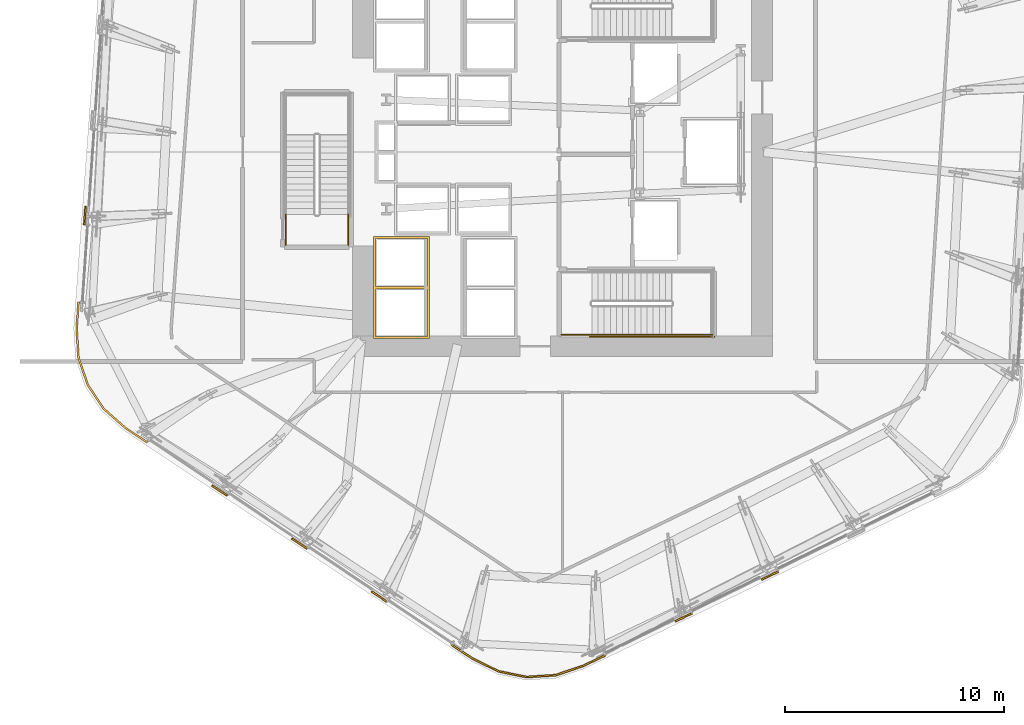
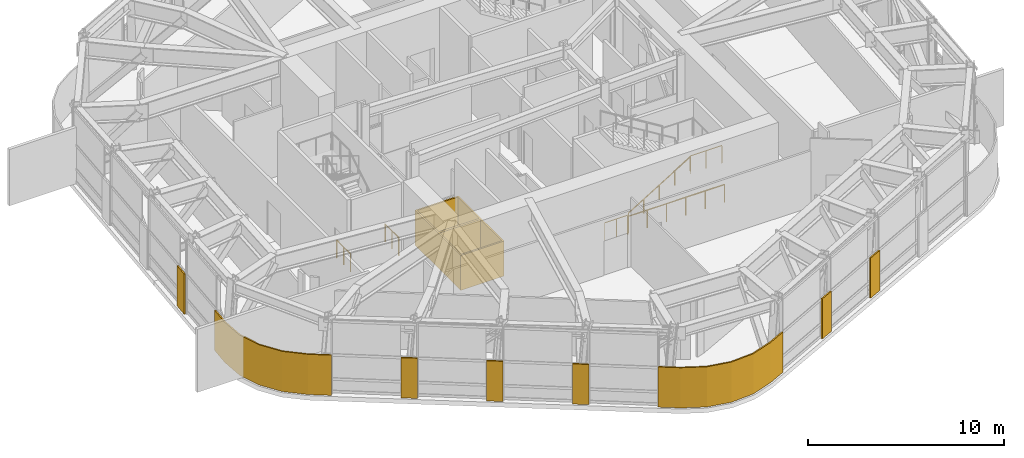
# One storey, part 11 of 14: 9 coverings, 6 railings.
"""IFC4 building model written with IfcOpenShell, lengths in metres."""

from ifc_helpers import new_model, si_unit, direction, frame, origin, origin_2d, place, context, subcontext, project, spatial, polyline, circle, outline, extrude, material, layer, layer_set, type_object, element, save


model = new_model("IFC4")

# Units and contexts
model_context = context("Model", 3, precision=1e-05, world=origin(), true_north=direction((0.0, 1.0)))
body_context = subcontext(model_context, "Body", "Model", "MODEL_VIEW")
ifc_project = project(units=[si_unit("LENGTHUNIT", "METRE"), si_unit("AREAUNIT", "SQUARE_METRE"), si_unit("VOLUMEUNIT", "CUBIC_METRE"), si_unit("PLANEANGLEUNIT", "RADIAN"), si_unit("MASSUNIT", "GRAM", prefix="KILO")], contexts=[model_context])

# Site, building, storey
site_placement = place(None, origin())
site = spatial("IfcSite", under=ifc_project, at=site_placement, CompositionType="ELEMENT")
building_placement = place(site_placement, origin())
building = spatial("IfcBuilding", under=site, at=building_placement, Name="Valkerne Bourse Tower", CompositionType="ELEMENT")
storey_placement = place(building_placement, frame((0.0, 0.0, 135.199951171875)))
storey = spatial("IfcBuildingStorey", under=building, at=storey_placement, Name="L34", CompositionType="ELEMENT", Elevation=135.199951171875)

# Coverings
ifc_material_1 = material(Name="Bronze Anodised Aluminium AA 6063-T6", Category="aluminium")
ifc_layer_1 = layer(ifc_material_1, 0.06005859375)
ifc_layer_set_1 = layer_set([ifc_layer_1], Name="Bronze Anodised Aluminium AA 6063-T6")
covering_type_1 = type_object("IfcCoveringType", Name="COV-CRN-ALUM", PredefinedType="CLADDING", material=ifc_layer_set_1)
covering_1_placement = place(storey_placement, origin())
element("IfcCovering", 1, at=covering_1_placement, inside=storey, type_object=covering_type_1, Name="L34 Wind-Shaped Corner Aluminium Cladding 03", PredefinedType="CLADDING", context=body_context, shape_type="SweptSolid", body=[
    extrude(outline(polyline([(55.9248046875, 7.4189453125), (55.8896484375, 7.49072265625), (56.64599609375, 7.856201171875), (56.681396484375, 7.784423828125), (55.9248046875, 7.4189453125)])), origin(), (0.0, 0.0, 1.0), 2.5),
])
covering_2_placement = place(storey_placement, origin())
element("IfcCovering", 2, at=covering_2_placement, inside=storey, type_object=covering_type_1, Name="L34 Wind-Shaped Corner Aluminium Cladding 04", PredefinedType="CLADDING", context=body_context, shape_type="SweptSolid", body=[
    extrude(outline(polyline([(51.978759765625, 5.51171875), (51.943603515625, 5.58349609375), (52.699951171875, 5.948974609375), (52.735107421875, 5.877197265625), (51.978759765625, 5.51171875)])), origin(), (0.0, 0.0, 1.0), 2.5),
])
covering_3_placement = place(storey_placement, origin())
element("IfcCovering", 3, at=covering_3_placement, inside=storey, type_object=covering_type_1, Name="L34 Wind-Shaped Corner Aluminium Cladding 05", PredefinedType="CLADDING", context=body_context, shape_type="SweptSolid", body=[
    extrude(outline(polyline([(47.7578125, 3.471435546875), (46.48974609375, 3.044677734375), (45.1611328125, 2.961181640625), (43.856201171875, 3.22412109375), (42.65771484375, 3.819091796875), (41.7041015625, 4.45263671875), (41.748779296875, 4.51904296875), (42.697998046875, 3.888671875), (43.88232421875, 3.300537109375), (45.16650390625, 3.04150390625), (46.47412109375, 3.123779296875), (47.7275390625, 3.545654296875), (48.75341796875, 4.04150390625), (48.788818359375, 3.9697265625), (47.7578125, 3.471435546875)])), origin(), (0.0, 0.0, 1.0), 2.5),
])
covering_4_placement = place(storey_placement, origin())
element("IfcCovering", 4, at=covering_4_placement, inside=storey, type_object=covering_type_1, Name="L34 Wind-Shaped Corner Aluminium Cladding 06", PredefinedType="CLADDING", context=body_context, shape_type="SweptSolid", body=[
    extrude(outline(polyline([(38.05322265625, 6.8779296875), (38.097900390625, 6.9443359375), (38.797607421875, 6.4794921875), (38.7529296875, 6.4130859375), (38.05322265625, 6.8779296875)])), origin(), (0.0, 0.0, 1.0), 2.5),
])
covering_5_placement = place(storey_placement, origin())
element("IfcCovering", 5, at=covering_5_placement, inside=storey, type_object=covering_type_1, Name="L34 Wind-Shaped Corner Aluminium Cladding 07", PredefinedType="CLADDING", context=body_context, shape_type="SweptSolid", body=[
    extrude(outline(polyline([(34.40234375, 9.30322265625), (34.447021484375, 9.36962890625), (35.146484375, 8.90478515625), (35.10205078125, 8.83837890625), (34.40234375, 9.30322265625)])), origin(), (0.0, 0.0, 1.0), 2.5),
])
covering_6_placement = place(storey_placement, origin())
element("IfcCovering", 6, at=covering_6_placement, inside=storey, type_object=covering_type_1, Name="L34 Wind-Shaped Corner Aluminium Cladding 08", PredefinedType="CLADDING", context=body_context, shape_type="SweptSolid", body=[
    extrude(outline(polyline([(30.75146484375, 11.728515625), (30.796142578125, 11.794921875), (31.495849609375, 11.330078125), (31.451171875, 11.263671875), (30.75146484375, 11.728515625)])), origin(), (0.0, 0.0, 1.0), 2.5),
])
covering_7_placement = place(storey_placement, origin())
element("IfcCovering", 7, at=covering_7_placement, inside=storey, type_object=covering_type_1, Name="L34 Wind-Shaped Corner Aluminium Cladding 09", PredefinedType="CLADDING", context=body_context, shape_type="SweptSolid", body=[
    extrude(outline(polyline([(26.79736328125, 14.355224609375), (25.794189453125, 15.23974609375), (25.0576171875, 16.348388671875), (24.6328125, 17.610107421875), (24.548828125, 18.94482421875), (24.63720703125, 20.1455078125), (24.717041015625, 20.14013671875), (24.629150390625, 18.9443359375), (24.712158203125, 17.625732421875), (25.1298828125, 16.384033203125), (25.85498046875, 15.292724609375), (26.84619140625, 14.418701171875), (27.8447265625, 13.755615234375), (27.80029296875, 13.689208984375), (26.79736328125, 14.355224609375)])), origin(), (0.0, 0.0, 1.0), 2.5),
])
covering_8_placement = place(storey_placement, origin())
element("IfcCovering", 8, at=covering_8_placement, inside=storey, type_object=covering_type_1, Name="L34 Wind-Shaped Corner Aluminium Cladding 10", PredefinedType="CLADDING", context=body_context, shape_type="SweptSolid", body=[
    extrude(outline(polyline([(24.95849609375, 24.516845703125), (25.038330078125, 24.511474609375), (24.976806640625, 23.673583984375), (24.89697265625, 23.678955078125), (24.95849609375, 24.516845703125)])), origin(), (0.0, 0.0, 1.0), 2.5),
])
ifc_material_2 = material(Name="Gypsum Shaftwall Liner Board", Category="gypsum")
ifc_layer_2 = layer(ifc_material_2, 0.080078125)
ifc_layer_set_2 = layer_set([ifc_layer_2], Name="Gypsum Shaftwall Liner Board")
covering_type_2 = type_object("IfcCoveringType", Name="COV-SHF-CLAD", PredefinedType="CLADDING", material=ifc_layer_set_2)
covering_9_placement = place(storey_placement, origin())
element("IfcCovering", 9, at=covering_9_placement, inside=storey, type_object=covering_type_2, Name="L34 Hoistway & Riser Shaftwall Liner 01", PredefinedType="CLADDING", context=body_context, shape_type="SweptSolid", body=[
    extrude(outline(polyline([(38.169921875, 23.1298828125), (40.72998046875, 23.1298828125), (40.72998046875, 20.830078125), (40.72998046875, 20.77001953125), (40.72998046875, 18.469970703125), (38.169921875, 18.469970703125), (38.169921875, 20.77001953125), (38.169921875, 20.830078125), (38.169921875, 23.1298828125)]), holes=[polyline([(38.260009765625, 20.739990234375), (38.260009765625, 18.56005859375), (40.639892578125, 18.56005859375), (40.639892578125, 20.739990234375), (38.260009765625, 20.739990234375)]), polyline([(38.260009765625, 23.0400390625), (38.260009765625, 20.860107421875), (40.639892578125, 20.860107421875), (40.639892578125, 23.0400390625), (38.260009765625, 23.0400390625)])]), origin(), (0.0, 0.0, 1.0), 2.179931640625),
])

# Railings
ifc_material_3 = material(Name="Galvanised Painted Steel", Category="steel")
railing_type_1 = type_object("IfcRailingType", Name="RLG-ST-GUARD-1120", PredefinedType="GUARDRAIL", material=ifc_material_3)
railing_1_placement = place(storey_placement, frame((51.7900390625, 18.64990234375, 2.400146484375)))
element("IfcRailing", 10, at=railing_1_placement, inside=storey, type_object=railing_type_1, Name="L34 ST-1 stair guard 3", PredefinedType="GUARDRAIL", context=body_context, shape_type="SweptSolid", body=[
    extrude(circle(Radius=0.02392578125, at=origin_2d()), frame((0.0, 0.0, 1.09619140625), z_axis=(1.0, 0.0, 0.0), x_axis=(0.0, 1.0, 0.0)), (0.0, 0.0, 1.0), 1.85986328125),
    extrude(circle(Radius=0.02099609375, at=origin_2d()), origin(), (0.0, 0.0, 1.0), 1.072021484375),
    extrude(circle(Radius=0.02099609375, at=origin_2d()), frame((0.929931640625, 0.0, 0.0)), (0.0, 0.0, 1.0), 1.072021484375),
    extrude(circle(Radius=0.02099609375, at=origin_2d()), frame((1.85986328125, 0.0, 0.0)), (0.0, 0.0, 1.0), 1.072021484375),
])
railing_2_placement = place(storey_placement, frame((46.75, 18.64990234375, 0.0)))
element("IfcRailing", 11, at=railing_2_placement, inside=storey, type_object=railing_type_1, Name="L34 ST-1 stair guard 8", PredefinedType="GUARDRAIL", context=body_context, shape_type="SweptSolid", body=[
    extrude(circle(Radius=0.02392578125, at=origin_2d()), frame((0.0, 0.0, 1.09619140625), z_axis=(1.0, 0.0, 0.0), x_axis=(0.0, 1.0, 0.0)), (0.0, 0.0, 1.0), 1.39990234375),
    extrude(circle(Radius=0.02099609375, at=origin_2d()), origin(), (0.0, 0.0, 1.0), 1.072021484375),
    extrude(circle(Radius=0.02099609375, at=origin_2d()), frame((0.699951171875, 0.0, 0.0)), (0.0, 0.0, 1.0), 1.072021484375),
    extrude(circle(Radius=0.02099609375, at=origin_2d()), frame((1.39990234375, 0.0, 0.0)), (0.0, 0.0, 1.0), 1.072021484375),
])
railing_3_placement = place(storey_placement, frame((48.050048828125, 18.550048828125, 0.0)))
element("IfcRailing", 12, at=railing_3_placement, inside=storey, type_object=railing_type_1, Name="L34 ST-1 stair guard 10", PredefinedType="GUARDRAIL", context=body_context, shape_type="SweptSolid", body=[
    extrude(circle(Radius=0.02392578125, at=origin_2d()), frame((0.0, 0.0, 1.09619140625), z_axis=(1.0, 0.0, 0.0), x_axis=(0.0, 1.0, 0.0)), (0.0, 0.0, 1.0), 5.699951171875),
    extrude(circle(Radius=0.02099609375, at=origin_2d()), origin(), (0.0, 0.0, 1.0), 1.072021484375),
    extrude(circle(Radius=0.02099609375, at=origin_2d()), frame((1.139892578125, 0.0, 0.0)), (0.0, 0.0, 1.0), 1.072021484375),
    extrude(circle(Radius=0.02099609375, at=origin_2d()), frame((2.280029296875, 0.0, 0.0)), (0.0, 0.0, 1.0), 1.072021484375),
    extrude(circle(Radius=0.02099609375, at=origin_2d()), frame((3.419921875, 0.0, 0.0)), (0.0, 0.0, 1.0), 1.072021484375),
    extrude(circle(Radius=0.02099609375, at=origin_2d()), frame((4.56005859375, 0.0, 0.0)), (0.0, 0.0, 1.0), 1.072021484375),
    extrude(circle(Radius=0.02099609375, at=origin_2d()), frame((5.699951171875, 0.0, 0.0)), (0.0, 0.0, 1.0), 1.072021484375),
])
for number, where, name in (
    (13, (37.0, 22.75, 0.0), "L34 ST-3 stair guard 8"),
    (14, (34.14990234375, 22.75, 0.0), "L34 ST-3 stair guard 9"),
):
    element("IfcRailing", number, at=place(storey_placement, frame(where)), inside=storey, type_object=railing_type_1, Name=name, PredefinedType="GUARDRAIL", context=body_context, shape_type="SweptSolid", body=[
        extrude(circle(Radius=0.02392578125, at=origin_2d()), frame((0.0, 0.0, 1.09619140625), z_axis=(0.0, 1.0, 0.0), x_axis=(-1.0, 0.0, 0.0)), (0.0, 0.0, 1.0), 1.39990234375),
        extrude(circle(Radius=0.02099609375, at=origin_2d()), origin(), (0.0, 0.0, 1.0), 1.072021484375),
        extrude(circle(Radius=0.02099609375, at=origin_2d()), frame((0.0, 0.699951171875, 0.0)), (0.0, 0.0, 1.0), 1.072021484375),
        extrude(circle(Radius=0.02099609375, at=origin_2d()), frame((0.0, 1.39990234375, 0.0)), (0.0, 0.0, 1.0), 1.072021484375),
    ])
ifc_material_4 = material(Name="Stainless Steel AISI 316", Category="steel")
railing_type_2 = type_object("IfcRailingType", Name="RLG-ST-HANDRAIL-900", PredefinedType="HANDRAIL", material=ifc_material_4)
railing_4_placement = place(storey_placement, frame((48.14990234375, 18.64990234375, 0.343017578125)))
element("IfcRailing", 15, at=railing_4_placement, inside=storey, type_object=railing_type_2, Name="L34 ST-1 stair handrail 1", PredefinedType="HANDRAIL", context=body_context, shape_type="SweptSolid", body=[
    extrude(circle(Radius=0.02392578125, at=origin_2d()), frame((0.0, 0.0, 0.8759765625), z_axis=(0.852865859571, 0.0, 0.52213008492), x_axis=(0.0, 1.0, 0.0)), (0.0, 0.0, 1.0), 4.26806640625),
    extrude(circle(Radius=0.02099609375, at=origin_2d()), origin(), (0.0, 0.0, 1.0), 0.851806640625),
    extrude(circle(Radius=0.02099609375, at=origin_2d()), frame((0.91015625, 0.0, 0.55712890625)), (0.0, 0.0, 1.0), 0.851806640625),
    extrude(circle(Radius=0.02099609375, at=origin_2d()), frame((1.820068359375, 0.0, 1.1142578125)), (0.0, 0.0, 1.0), 0.851806640625),
    extrude(circle(Radius=0.02099609375, at=origin_2d()), frame((2.72998046875, 0.0, 1.67138671875)), (0.0, 0.0, 1.0), 0.851806640625),
    extrude(circle(Radius=0.02099609375, at=origin_2d()), frame((3.64013671875, 0.0, 2.228515625)), (0.0, 0.0, 1.0), 0.851806640625),
])

save(model, "model.ifc")
